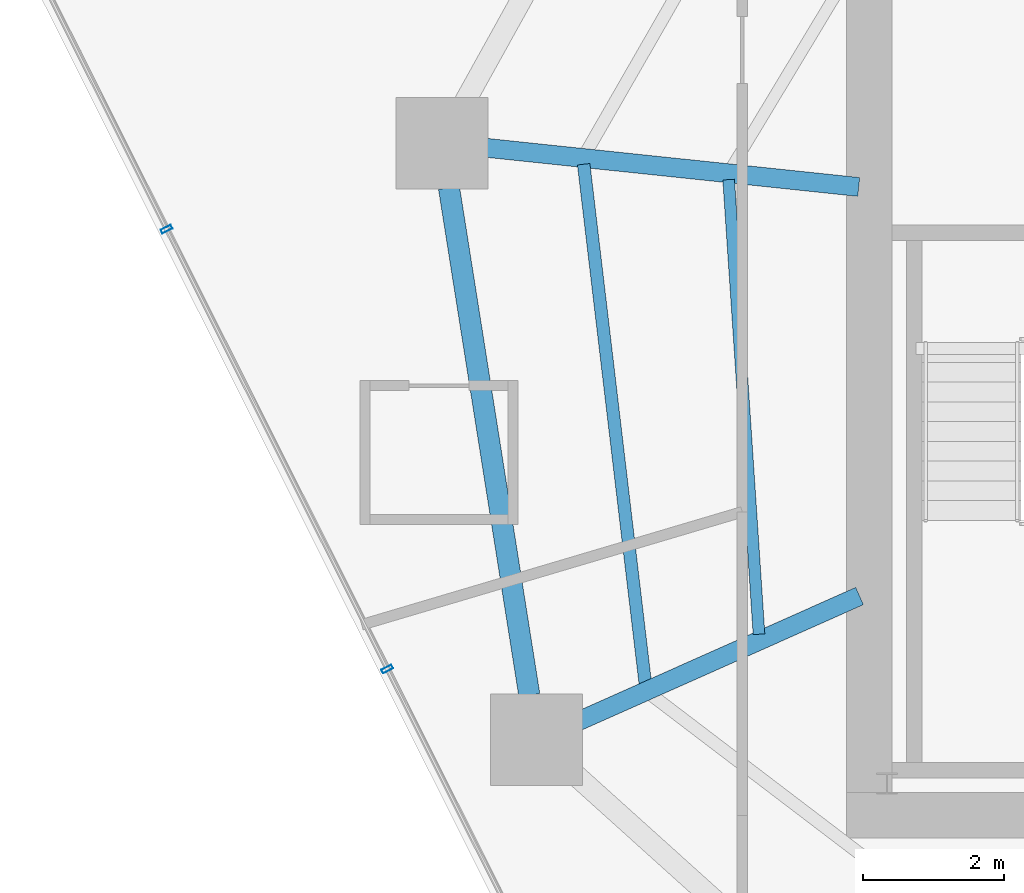
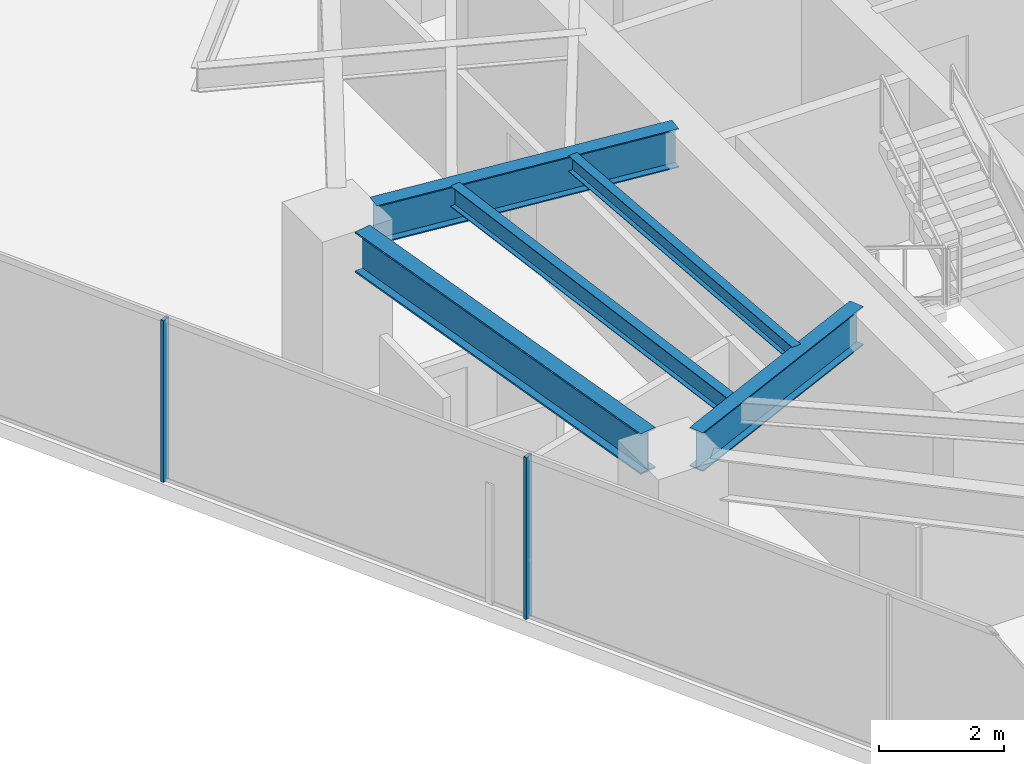
# One storey, part 7 of 28: 5 beams, 2 members, 1 element without a shape of its own.
"""IFC4 building model written with IfcOpenShell, lengths in metres."""

from ifc_helpers import new_model, si_unit, direction, frame, origin, origin_2d, place, context, subcontext, project, spatial, hollow_rectangle, i_section, extrude, material, layer, layer_set, material_profile, profile_set, type_object, element, aggregate, save


model = new_model("IFC4")

# Units and contexts
model_context = context("Model", 3, precision=1e-05, world=origin(), true_north=direction((0.0, 1.0)))
body_context = subcontext(model_context, "Body", "Model", "MODEL_VIEW")
ifc_project = project(units=[si_unit("LENGTHUNIT", "METRE"), si_unit("AREAUNIT", "SQUARE_METRE"), si_unit("VOLUMEUNIT", "CUBIC_METRE"), si_unit("PLANEANGLEUNIT", "RADIAN"), si_unit("MASSUNIT", "GRAM", prefix="KILO")], contexts=[model_context])

# Site, building, storey
site_placement = place(None, origin())
site = spatial("IfcSite", under=ifc_project, at=site_placement, CompositionType="ELEMENT")
building_placement = place(site_placement, origin())
building = spatial("IfcBuilding", under=site, at=building_placement, Name="Qarnah Convention Tower", CompositionType="ELEMENT")
storey_placement = place(building_placement, frame((0.0, 0.0, 54.60009765625)))
storey = spatial("IfcBuildingStorey", under=building, at=storey_placement, Name="L13", CompositionType="ELEMENT", Elevation=54.60009765625)

# Beams
ifc_material_1 = material(Name="Structural steel S355JR", Category="steel")
ifc_material_profile_1 = material_profile(ifc_material_1, i_section(OverallWidth=0.166015625, OverallDepth=0.31201171875, WebThickness=0.007080078125, FlangeThickness=0.010986328125, at=origin_2d()), Name="W310X45")
ifc_profile_set_1 = profile_set([ifc_material_profile_1], Name="Structural steel S355JR")
beam_type_1 = type_object("IfcBeamType", Name="BM-JST-W310", PredefinedType="JOIST", material=ifc_profile_set_1)
beam_1_placement = place(storey_placement, frame((24.806884765625, 27.613037109375, 3.013916015625), z_axis=(0.066586732153, -0.997780640773, 0.0), x_axis=(0.997780640773, 0.066586732153, 0.0)))
element("IfcBeam", 1, at=beam_1_placement, inside=storey, type_object=beam_type_1, Name="L13 joist BM-L13-IJST-05", PredefinedType="JOIST", context=body_context, shape_type="SweptSolid", body=[
    extrude(i_section(OverallWidth=0.166015625, OverallDepth=0.31201171875, WebThickness=0.007080078125, FlangeThickness=0.010986328125, at=origin_2d()), origin(), (0.0, 0.0, 1.0), 6.46044921875),
])
ifc_material_profile_2 = material_profile(ifc_material_1, i_section(OverallWidth=0.177978515625, OverallDepth=0.407958984375, WebThickness=0.008056640625, FlangeThickness=0.012939453125, at=origin_2d()), Name="W410X60")
ifc_profile_set_2 = profile_set([ifc_material_profile_2], Name="Structural steel S355JR")
beam_type_2 = type_object("IfcBeamType", Name="BM-JST-W410", PredefinedType="JOIST", material=ifc_profile_set_2)
beam_2_placement = place(storey_placement, frame((22.7509765625, 27.8310546875, 2.9658203125), z_axis=(0.117866605608, -0.993029437269, 0.0), x_axis=(0.993029437269, 0.117866605608, 0.0)))
element("IfcBeam", 2, at=beam_2_placement, inside=storey, type_object=beam_type_2, Name="L13 joist BM-L13-SJST-05", PredefinedType="JOIST", context=body_context, shape_type="SweptSolid", body=[
    extrude(i_section(OverallWidth=0.177978515625, OverallDepth=0.407958984375, WebThickness=0.008056640625, FlangeThickness=0.012939453125, at=origin_2d()), origin(), (0.0, 0.0, 1.0), 7.431884765625),
])
ifc_material_profile_3 = material_profile(ifc_material_1, i_section(OverallWidth=0.26806640625, OverallDepth=0.760009765625, WebThickness=0.014892578125, FlangeThickness=0.02197265625, at=origin_2d()), Name="W760X185")
ifc_profile_set_3 = profile_set([ifc_material_profile_3], Name="Structural steel S355JR")
beam_type_3 = type_object("IfcBeamType", Name="BM-RAD-W760", PredefinedType="BEAM", material=ifc_profile_set_3)
beam_3_placement = place(storey_placement, frame((26.65087890625, 27.509033203125, 2.789794921875), z_axis=(-0.99452834613, 0.10446707014, 0.0), x_axis=(-0.10446707014, -0.99452834613, 0.0)))
element("IfcBeam", 3, at=beam_3_placement, inside=storey, type_object=beam_type_3, Name="L13 beam BM-L13-RAD-05", PredefinedType="BEAM", context=body_context, shape_type="SweptSolid", body=[
    extrude(i_section(OverallWidth=0.26806640625, OverallDepth=0.760009765625, WebThickness=0.014892578125, FlangeThickness=0.02197265625, at=origin_2d()), origin(), (0.0, 0.0, 1.0), 5.31201171875),
])
beam_4_placement = place(storey_placement, frame((26.6630859375, 21.708984375, 2.789794921875), z_axis=(-0.913519753242, -0.406794371195, 0.0), x_axis=(0.406794371195, -0.913519753242, 0.0)))
element("IfcBeam", 4, at=beam_4_placement, inside=storey, type_object=beam_type_3, Name="L13 beam BM-L13-RAD-06", PredefinedType="BEAM", context=body_context, shape_type="SweptSolid", body=[
    extrude(i_section(OverallWidth=0.26806640625, OverallDepth=0.760009765625, WebThickness=0.014892578125, FlangeThickness=0.02197265625, at=origin_2d()), origin(), (0.0, 0.0, 1.0), 4.38525390625),
])
ifc_material_profile_4 = material_profile(ifc_material_1, i_section(OverallWidth=0.300048828125, OverallDepth=0.800048828125, WebThickness=0.01806640625, FlangeThickness=0.032958984375, at=origin_2d()), Name="HEB800")
ifc_profile_set_4 = profile_set([ifc_material_profile_4], Name="Structural steel S355JR")
beam_type_4 = type_object("IfcBeamType", Name="BM-RING-HEB800", PredefinedType="BEAM", material=ifc_profile_set_4)
beam_5_placement = place(storey_placement, frame((20.841064453125, 27.498046875, 2.77001953125), z_axis=(0.156433977502, -0.987688417814, 0.0), x_axis=(0.987688417814, 0.156433977502, 0.0)))
element("IfcBeam", 5, at=beam_5_placement, inside=storey, type_object=beam_type_4, Name="L13 beam BM-L13-SPN-05", PredefinedType="BEAM", context=body_context, shape_type="SweptSolid", body=[
    extrude(i_section(OverallWidth=0.300048828125, OverallDepth=0.800048828125, WebThickness=0.01806640625, FlangeThickness=0.032958984375, at=origin_2d()), origin(), (0.0, 0.0, 1.0), 7.28662109375),
])

# Curtain wall, members
ifc_material_2 = material(Name="Tempered Low-E dark glass", Category="glass")
ifc_layer = layer(ifc_material_2, 0.16796875)
ifc_layer_set = layer_set([ifc_layer], Name="Tempered Low-E dark glass")
curtain_wall_type = type_object("IfcCurtainWallType", Name="CWS-01", PredefinedType="NOTDEFINED", material=ifc_layer_set)
curtain_wall_placement = place(storey_placement, origin())
curtain_wall = element("IfcCurtainWall", 6, at=curtain_wall_placement, inside=storey, type_object=curtain_wall_type, Name="L13 unitised curtain wall CW-L13-F2", PredefinedType="NOTDEFINED")
ifc_material_3 = material(Name="Black anodised aluminium", Category="aluminium")
ifc_material_profile_5 = material_profile(ifc_material_3, hollow_rectangle(XDim=0.06005859375, YDim=0.159912109375, WallThickness=0.00390625, at=origin_2d()), Name="MUL-60X160")
ifc_profile_set_5 = profile_set([ifc_material_profile_5], Name="Black anodised aluminium")
member_type = type_object("IfcMemberType", Name="MUL-T1", PredefinedType="MULLION", material=ifc_profile_set_5)
member_1_placement = place(storey_placement, frame((19.965576171875, 20.673583984375, 0.0), z_axis=(0.0, 0.0, 1.0), x_axis=(-0.448382607671, 0.893841729356, 0.0)))
member_1 = element("IfcMember", 7, at=member_1_placement, type_object=member_type, Name="CW-L13-F2 mullion 4", PredefinedType="MULLION", context=body_context, shape_type="SweptSolid", body=[
    extrude(hollow_rectangle(XDim=0.06005859375, YDim=0.159912109375, WallThickness=0.00390625, at=origin_2d()), origin(), (0.0, 0.0, 1.0), 3.169921875),
])
member_2_placement = place(storey_placement, frame((16.8369140625, 26.910888671875, 0.0), z_axis=(0.0, 0.0, 1.0), x_axis=(-0.448382607671, 0.893841729356, 0.0)))
member_2 = element("IfcMember", 8, at=member_2_placement, type_object=member_type, Name="CW-L13-F2 mullion 5", PredefinedType="MULLION", context=body_context, shape_type="SweptSolid", body=[
    extrude(hollow_rectangle(XDim=0.06005859375, YDim=0.159912109375, WallThickness=0.00390625, at=origin_2d()), origin(), (0.0, 0.0, 1.0), 3.169921875),
])
aggregate(curtain_wall, [member_1, member_2])

save(model, "model.ifc")
